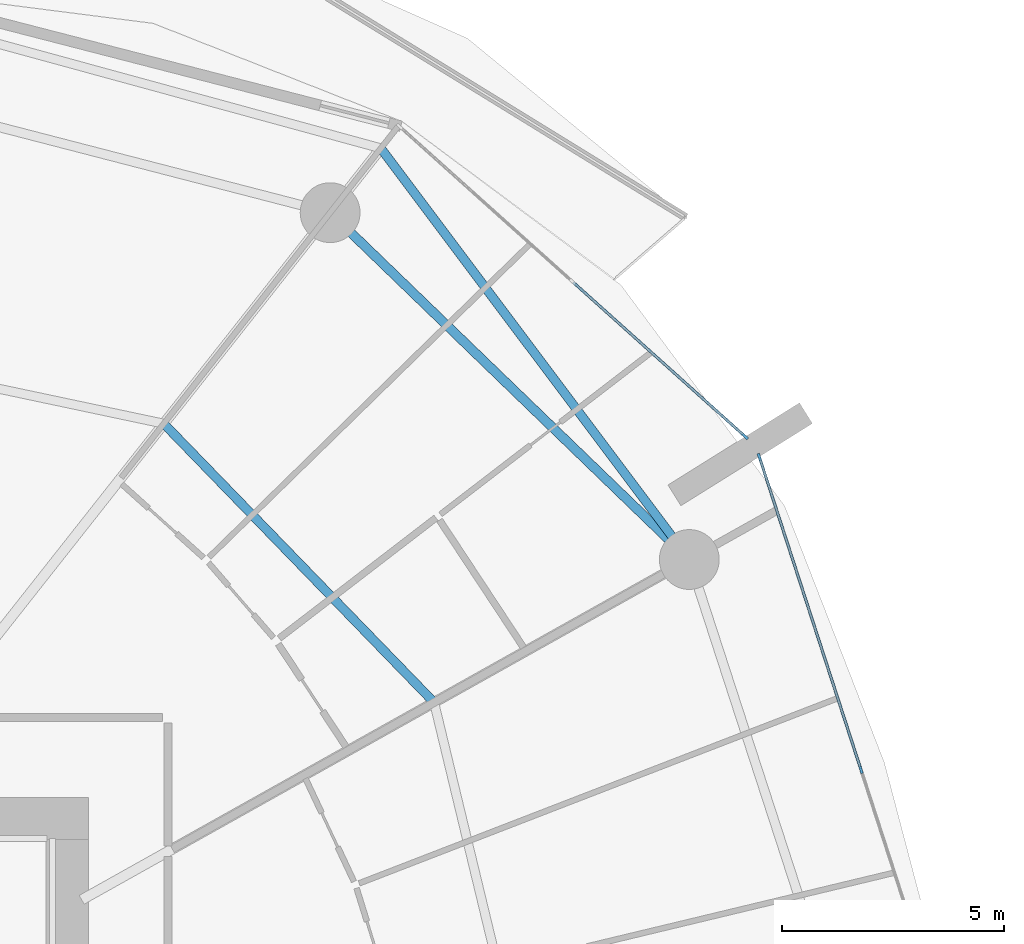
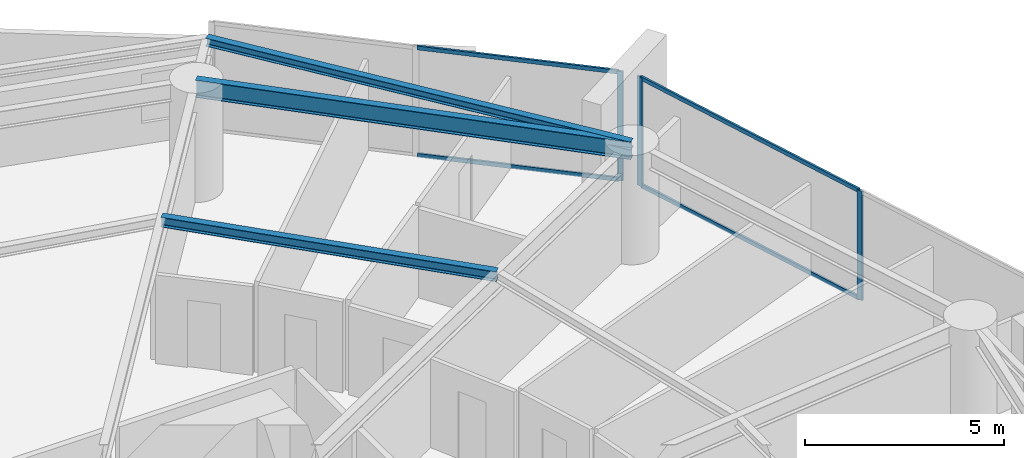
# One storey, part 15 of 31: 7 members, 3 beams, 2 elements without a shape of their own.
"""IFC4 building model written with IfcOpenShell, lengths in metres."""

from ifc_helpers import new_model, si_unit, direction, frame, origin, origin_2d, place, context, subcontext, project, spatial, rectangle, i_section, extrude, material, layer, layer_set, material_profile, profile_set, type_object, element, aggregate, save


model = new_model("IFC4")

# Units and contexts
model_context = context("Model", 3, precision=1e-05, world=origin(), true_north=direction((0.0, 1.0)))
body_context = subcontext(model_context, "Body", "Model", "MODEL_VIEW")
ifc_project = project(units=[si_unit("LENGTHUNIT", "METRE"), si_unit("AREAUNIT", "SQUARE_METRE"), si_unit("VOLUMEUNIT", "CUBIC_METRE"), si_unit("PLANEANGLEUNIT", "RADIAN"), si_unit("MASSUNIT", "GRAM", prefix="KILO")], contexts=[model_context])

# Site, building, storey
site_placement = place(None, origin())
site = spatial("IfcSite", under=ifc_project, at=site_placement, CompositionType="ELEMENT")
building_placement = place(site_placement, origin())
building = spatial("IfcBuilding", under=site, at=building_placement, Name="Kazma Halo Residences", CompositionType="ELEMENT")
storey_placement = place(building_placement, frame((0.0, 0.0, 67.64990234375)))
storey = spatial("IfcBuildingStorey", under=building, at=storey_placement, Name="L16", CompositionType="ELEMENT", Elevation=67.64990234375)

# Beams
ifc_material_1 = material(Name="Steel S355", Category="steel")
ifc_material_profile_1 = material_profile(ifc_material_1, i_section(OverallWidth=0.201904296875, OverallDepth=0.2470703125, WebThickness=0.00732421875, FlangeThickness=0.010986328125, FilletRadius=0.011962890625, at=origin_2d()), Name="W250x49.1")
ifc_profile_set_1 = profile_set([ifc_material_profile_1], Name="Steel S355")
beam_type_1 = type_object("IfcBeamType", Name="BM-BAL-CANT", PredefinedType="BEAM", material=ifc_profile_set_1)
beam_1_placement = place(storey_placement, frame((73.56494140625, 56.317138671875, 3.2265625), z_axis=(-0.600026935007, 0.799979798037, 0.0), x_axis=(-0.799979798037, -0.600026935007, 0.0)))
element("IfcBeam", 1, at=beam_1_placement, inside=storey, type_object=beam_type_1, Name="L16 wave-balcony lead tie beam 01", PredefinedType="BEAM", context=body_context, shape_type="SweptSolid", body=[
    extrude(i_section(OverallWidth=0.201904296875, OverallDepth=0.2470703125, WebThickness=0.00732421875, FlangeThickness=0.010986328125, FilletRadius=0.011962890625, at=origin_2d()), origin(), (0.0, 0.0, 1.0), 11.601806640625),
])
ifc_material_profile_2 = material_profile(ifc_material_1, i_section(OverallWidth=0.202880859375, OverallDepth=0.302978515625, WebThickness=0.007568359375, FlangeThickness=0.01318359375, FilletRadius=0.013916015625, at=origin_2d()), Name="W310x60")
ifc_profile_set_2 = profile_set([ifc_material_profile_2], Name="Steel S355")
beam_type_2 = type_object("IfcBeamType", Name="BM-SEC-W310A", PredefinedType="JOIST", material=ifc_profile_set_2)
beam_2_placement = place(storey_placement, frame((67.8046875, 53.09130859375, 3.198486328125), z_axis=(-0.696130608567, 0.717915159205, 0.0), x_axis=(-0.717915159205, -0.696130608567, 0.0)))
element("IfcBeam", 2, at=beam_2_placement, inside=storey, type_object=beam_type_2, Name="L16 circumferential floor joist 01", PredefinedType="JOIST", context=body_context, shape_type="SweptSolid", body=[
    extrude(i_section(OverallWidth=0.202880859375, OverallDepth=0.302978515625, WebThickness=0.007568359375, FlangeThickness=0.01318359375, FilletRadius=0.013916015625, at=origin_2d()), origin(), (0.0, 0.0, 1.0), 8.763916015625),
])
ifc_material_profile_3 = material_profile(ifc_material_1, i_section(OverallWidth=0.208984375, OverallDepth=0.532958984375, WebThickness=0.01025390625, FlangeThickness=0.015625, FilletRadius=0.01611328125, at=origin_2d()), Name="W530x92")
ifc_profile_set_3 = profile_set([ifc_material_profile_3], Name="Steel S355")
beam_type_3 = type_object("IfcBeamType", Name="BM-SPN-W530", PredefinedType="BEAM", material=ifc_profile_set_3)
beam_3_placement = place(storey_placement, frame((73.56494140625, 56.317138671875, 3.08349609375), z_axis=(-0.719336506967, 0.694661780829, 0.0), x_axis=(-0.694661780829, -0.719336506967, 0.0)))
element("IfcBeam", 3, at=beam_3_placement, inside=storey, type_object=beam_type_3, Name="L16 perimeter ring beam 01", PredefinedType="BEAM", context=body_context, shape_type="SweptSolid", body=[
    extrude(i_section(OverallWidth=0.208984375, OverallDepth=0.532958984375, WebThickness=0.01025390625, FlangeThickness=0.015625, FilletRadius=0.01611328125, at=origin_2d()), origin(), (0.0, 0.0, 1.0), 11.269775390625),
])

# Curtain wall, member
ifc_material_2 = material(Name="Aluminium AW-6063 T6 and Triple-Silver Low-E Glass", Category="aluminium")
ifc_layer = layer(ifc_material_2, 0.159912109375)
ifc_layer_set = layer_set([ifc_layer], Name="Aluminium AW-6063 T6 and Triple-Silver Low-E Glass")
curtain_wall_type = type_object("IfcCurtainWallType", Name="CW-SYS-2", PredefinedType="NOTDEFINED", material=ifc_layer_set)
curtain_wall_1_placement = place(storey_placement, origin())
curtain_wall_1 = element("IfcCurtainWall", 4, at=curtain_wall_1_placement, inside=storey, type_object=curtain_wall_type, Name="L16 unitised curtain wall B01", PredefinedType="NOTDEFINED")
ifc_material_3 = material(Name="Aluminium AW-6063 T6", Category="aluminium")
ifc_material_profile_4 = material_profile(ifc_material_3, rectangle(XDim=0.06005859375, YDim=0.159912109375, at=origin_2d()), Name="CWM-60x160")
ifc_profile_set_4 = profile_set([ifc_material_profile_4], Name="Aluminium AW-6063 T6")
member_type_1 = type_object("IfcMemberType", Name="CW-SYS-2-MUL", PredefinedType="MULLION", material=ifc_profile_set_4)
member_1_placement = place(storey_placement, frame((74.82666015625, 59.091796875, 0.0), z_axis=(0.0, 0.0, 1.0), x_axis=(-0.667821453854, -0.744321506993, 0.0)))
member_1 = element("IfcMember", 5, at=member_1_placement, type_object=member_type_1, Name="CWS-2 mullion 1", PredefinedType="MULLION", context=body_context, shape_type="SweptSolid", body=[
    extrude(rectangle(XDim=0.06005859375, YDim=0.159912109375, at=origin_2d()), origin(), (0.0, 0.0, 1.0), 3.35009765625),
])

# Curtain wall, members
curtain_wall_2_placement = place(storey_placement, origin())
curtain_wall_2 = element("IfcCurtainWall", 6, at=curtain_wall_2_placement, inside=storey, type_object=curtain_wall_type, Name="L16 unitised curtain wall B16", PredefinedType="NOTDEFINED")
member_2_placement = place(storey_placement, frame((77.44189453125, 51.56640625, 0.0), z_axis=(0.0, 0.0, 1.0), x_axis=(-0.95105652404, -0.309016970539, 0.0)))
member_2 = element("IfcMember", 7, at=member_2_placement, type_object=member_type_1, Name="CWS-2 mullion 2", PredefinedType="MULLION", context=body_context, shape_type="SweptSolid", body=[
    extrude(rectangle(XDim=0.06005859375, YDim=0.159912109375, at=origin_2d()), origin(), (0.0, 0.0, 1.0), 3.35009765625),
])
member_3_placement = place(storey_placement, frame((75.145751953125, 58.63330078125, 0.0), z_axis=(0.0, 0.0, 1.0), x_axis=(-0.95105652404, -0.309016970539, 0.0)))
member_3 = element("IfcMember", 8, at=member_3_placement, type_object=member_type_1, Name="CWS-2 mullion 3", PredefinedType="MULLION", context=body_context, shape_type="SweptSolid", body=[
    extrude(rectangle(XDim=0.06005859375, YDim=0.159912109375, at=origin_2d()), origin(), (0.0, 0.0, 1.0), 3.35009765625),
])

# Member
ifc_material_profile_5 = material_profile(ifc_material_3, rectangle(XDim=0.06005859375, YDim=0.1201171875, at=origin_2d()), Name="CWT-60x120")
ifc_profile_set_5 = profile_set([ifc_material_profile_5], Name="Aluminium AW-6063 T6")
member_type_2 = type_object("IfcMemberType", Name="CW-SYS-2-TRN", PredefinedType="USERDEFINED", material=ifc_profile_set_5)
member_4_placement = place(storey_placement, frame((74.80419921875, 59.11181640625, 0.030029296875), z_axis=(-0.744329408538, 0.66781264707, 0.0), x_axis=(-0.66781264707, -0.744329408538, 0.0)))
member_4 = element("IfcMember", 9, at=member_4_placement, type_object=member_type_2, Name="CWS-2 transom 1.1", ObjectType="TRANSOM", PredefinedType="USERDEFINED", context=body_context, shape_type="SweptSolid", body=[
    extrude(rectangle(XDim=0.06005859375, YDim=0.1201171875, at=origin_2d()), origin(), (0.0, 0.0, 1.0), 5.178466796875),
])

member_5_placement = place(storey_placement, frame((74.80419921875, 59.11181640625, 3.320068359375), z_axis=(-0.744329408538, 0.66781264707, 0.0), x_axis=(-0.66781264707, -0.744329408538, 0.0)))
member_5 = element("IfcMember", 10, at=member_5_placement, type_object=member_type_2, Name="CWS-2 transom 1.2", ObjectType="TRANSOM", PredefinedType="USERDEFINED", context=body_context, shape_type="SweptSolid", body=[
    extrude(rectangle(XDim=0.06005859375, YDim=0.1201171875, at=origin_2d()), origin(), (0.0, 0.0, 1.0), 5.178466796875),
])

aggregate(curtain_wall_1, [member_1, member_4, member_5])

member_6_placement = place(storey_placement, frame((77.4326171875, 51.5947265625, 0.030029296875), z_axis=(-0.309004433966, 0.951060597328, 0.0), x_axis=(-0.951060597328, -0.309004433966, 0.0)))
member_6 = element("IfcMember", 11, at=member_6_placement, type_object=member_type_2, Name="CWS-2 transom 2.1", ObjectType="TRANSOM", PredefinedType="USERDEFINED", context=body_context, shape_type="SweptSolid", body=[
    extrude(rectangle(XDim=0.06005859375, YDim=0.1201171875, at=origin_2d()), origin(), (0.0, 0.0, 1.0), 7.370849609375),
])

member_7_placement = place(storey_placement, frame((77.4326171875, 51.5947265625, 3.320068359375), z_axis=(-0.309004433966, 0.951060597328, 0.0), x_axis=(-0.951060597328, -0.309004433966, 0.0)))
member_7 = element("IfcMember", 12, at=member_7_placement, type_object=member_type_2, Name="CWS-2 transom 2.2", ObjectType="TRANSOM", PredefinedType="USERDEFINED", context=body_context, shape_type="SweptSolid", body=[
    extrude(rectangle(XDim=0.06005859375, YDim=0.1201171875, at=origin_2d()), origin(), (0.0, 0.0, 1.0), 7.370849609375),
])

aggregate(curtain_wall_2, [member_2, member_3, member_6, member_7])

save(model, "model.ifc")
